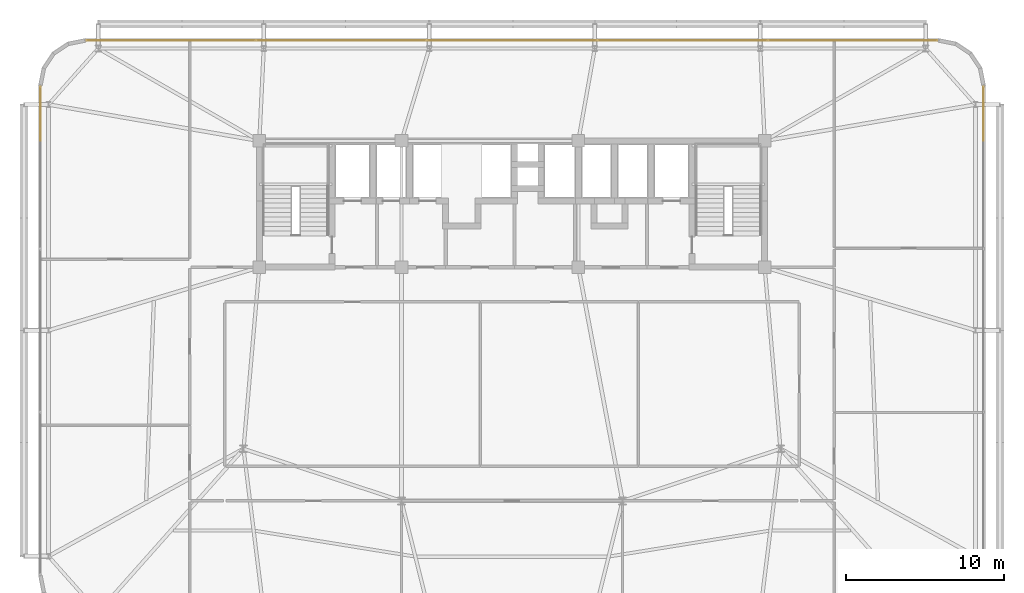
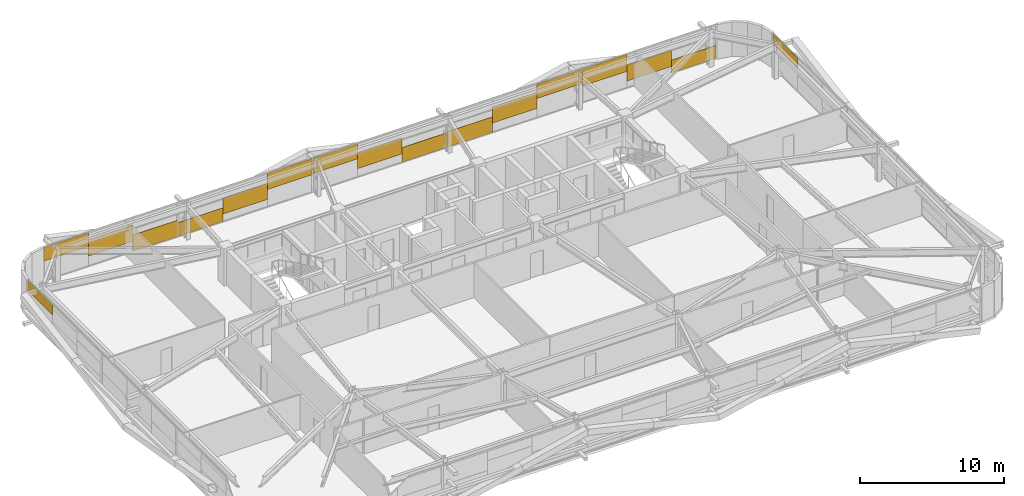
# One storey, part 44 of 44: 17 coverings.
"""IFC4 building model written with IfcOpenShell, lengths in metres."""

from ifc_helpers import new_model, si_unit, direction, frame, origin, origin_2d, place, context, subcontext, project, spatial, rectangle, extrude, source, transform, mapped, material, layer, layer_set, type_object, element, save


model = new_model("IFC4")

# Units and contexts
model_context = context("Model", 3, precision=1e-05, world=origin(), true_north=direction((0.0, 1.0)))
body_context = subcontext(model_context, "Body", "Model", "MODEL_VIEW")
ifc_project = project(units=[si_unit("LENGTHUNIT", "METRE"), si_unit("AREAUNIT", "SQUARE_METRE"), si_unit("VOLUMEUNIT", "CUBIC_METRE"), si_unit("PLANEANGLEUNIT", "RADIAN"), si_unit("MASSUNIT", "GRAM", prefix="KILO")], contexts=[model_context])

# Site, building, storey
site_placement = place(None, origin())
site = spatial("IfcSite", under=ifc_project, at=site_placement, CompositionType="ELEMENT")
building_placement = place(site_placement, origin())
building = spatial("IfcBuilding", under=site, at=building_placement, Name="Taldren Reach Tower", CompositionType="ELEMENT")
storey_placement = place(building_placement, frame((0.0, 0.0, 38.85009765625)))
storey = spatial("IfcBuildingStorey", under=building, at=storey_placement, Name="L11", CompositionType="ELEMENT", Elevation=38.85009765625)

# Coverings
ifc_material = material(Name="Pale Champagne Fluoropolymer Aluminium Spandrel Cladding", Category="aluminium")
ifc_layer = layer(ifc_material, 0.0439453125)
ifc_layer_set = layer_set([ifc_layer], Name="Pale Champagne Fluoropolymer Aluminium Spandrel Cladding")
covering_type = type_object("IfcCoveringType", Name="CV-CLAD-044", PredefinedType="CLADDING", material=ifc_layer_set)
shared_shape_1 = source(origin(), body_context, "Body", "SweptSolid", [
    extrude(rectangle(XDim=3.5673828125, YDim=0.0439453125, at=origin_2d()), origin(), (0.0, 0.0, 1.0), 1.088623046875),
])
covering_1_placement = place(storey_placement, frame((60.1513671875, 38.360107421875, 0.0546875), z_axis=(0.0, 0.0, 1.0), x_axis=(-1.0, 0.0, 0.0)))
element("IfcCovering", 1, at=covering_1_placement, inside=storey, type_object=covering_type, Name="Diagrid closure cladding strip CW-2 panel 1.1 1", PredefinedType="CLADDING", context=body_context, shape_type="MappedRepresentation", body=[
    mapped(shared_shape_1, transform((0.0, 0.0, 0.0), scale=1.0)),
])
shared_shape_2 = source(origin(), body_context, "Body", "SweptSolid", [
    extrude(rectangle(XDim=3.5673828125, YDim=0.0439453125, at=origin_2d()), origin(), (0.0, 0.0, 1.0), 1.36083984375),
])
for number, where, z_axis, x_axis, name in (
    (2, (56.583740234375, 38.360107421875, 0.60986328125), (0.0, 0.0, 1.0), (-1.0, 0.0, 0.0), "Diagrid closure cladding strip CW-2 panel 1.1 2"),
    (3, (13.416259765625, 38.360107421875, 0.899169921875), (0.0, 0.0, 1.0), (-1.0, 0.0, 0.0), "Diagrid closure cladding strip CW-2 panel 5.1 2"),
):
    element("IfcCovering", number, at=place(storey_placement, frame(where, z_axis=z_axis, x_axis=x_axis)), inside=storey, type_object=covering_type, Name=name, PredefinedType="CLADDING", context=body_context, shape_type="MappedRepresentation", body=[
        mapped(shared_shape_2, transform((0.0, 0.0, 0.0), scale=1.0)),
    ])
shared_shape_3 = source(origin(), body_context, "Body", "SweptSolid", [
    extrude(rectangle(XDim=3.5673828125, YDim=0.0439453125, at=origin_2d()), origin(), (0.0, 0.0, 1.0), 1.437744140625),
])
covering_2_placement = place(storey_placement, frame((53.016357421875, 38.360107421875, 1.43701171875), z_axis=(0.0, 0.0, 1.0), x_axis=(-1.0, 0.0, 0.0)))
element("IfcCovering", 4, at=covering_2_placement, inside=storey, type_object=covering_type, Name="Diagrid closure cladding strip CW-2 panel 1.1 3", PredefinedType="CLADDING", context=body_context, shape_type="MappedRepresentation", body=[
    mapped(shared_shape_3, transform((0.0, 0.0, 0.0), scale=1.0)),
])
shared_shape_4 = source(origin(), body_context, "Body", "SweptSolid", [
    extrude(rectangle(XDim=3.578369140625, YDim=0.0439453125, at=origin_2d()), origin(), (0.0, 0.0, 1.0), 1.2177734375),
])
covering_3_placement = place(storey_placement, frame((49.37841796875, 38.360107421875, 1.6572265625), z_axis=(0.0, 0.0, 1.0), x_axis=(-1.0, 0.0, 0.0)))
element("IfcCovering", 5, at=covering_3_placement, inside=storey, type_object=covering_type, Name="Diagrid closure cladding strip CW-2 panel 2.1 1", PredefinedType="CLADDING", context=body_context, shape_type="MappedRepresentation", body=[
    mapped(shared_shape_4, transform((0.0, 0.0, 0.0), scale=1.0)),
])
shared_shape_5 = source(origin(), body_context, "Body", "SweptSolid", [
    extrude(rectangle(XDim=3.578369140625, YDim=0.0439453125, at=origin_2d()), origin(), (0.0, 0.0, 1.0), 1.36328125),
])
for number, where, z_axis, x_axis, name in (
    (6, (45.800048828125, 38.360107421875, 0.827392578125), (0.0, 0.0, 1.0), (-1.0, 0.0, 0.0), "Diagrid closure cladding strip CW-2 panel 2.1 2"),
    (7, (35.0, 38.360107421875, 0.753173828125), (0.0, 0.0, 1.0), (-1.0, 0.0, 0.0), "Diagrid closure cladding strip CW-2 panel 3.1 2"),
    (8, (24.199951171875, 38.360107421875, 0.678955078125), (0.0, 0.0, 1.0), (-1.0, 0.0, 0.0), "Diagrid closure cladding strip CW-2 panel 4.1 2"),
):
    element("IfcCovering", number, at=place(storey_placement, frame(where, z_axis=z_axis, x_axis=x_axis)), inside=storey, type_object=covering_type, Name=name, PredefinedType="CLADDING", context=body_context, shape_type="MappedRepresentation", body=[
        mapped(shared_shape_5, transform((0.0, 0.0, 0.0), scale=1.0)),
    ])
shared_shape_6 = source(origin(), body_context, "Body", "SweptSolid", [
    extrude(rectangle(XDim=3.578369140625, YDim=0.0439453125, at=origin_2d()), origin(), (0.0, 0.0, 1.0), 1.30615234375),
])
covering_4_placement = place(storey_placement, frame((42.2216796875, 38.360107421875, 0.054931640625), z_axis=(0.0, 0.0, 1.0), x_axis=(-1.0, 0.0, 0.0)))
element("IfcCovering", 9, at=covering_4_placement, inside=storey, type_object=covering_type, Name="Diagrid closure cladding strip CW-2 panel 2.1 3", PredefinedType="CLADDING", context=body_context, shape_type="MappedRepresentation", body=[
    mapped(shared_shape_6, transform((0.0, 0.0, 0.0), scale=1.0)),
])
shared_shape_7 = source(origin(), body_context, "Body", "SweptSolid", [
    extrude(rectangle(XDim=3.578369140625, YDim=0.0439453125, at=origin_2d()), origin(), (0.0, 0.0, 1.0), 1.23193359375),
])
covering_5_placement = place(storey_placement, frame((38.578369140625, 38.360107421875, 0.054931640625), z_axis=(0.0, 0.0, 1.0), x_axis=(-1.0, 0.0, 0.0)))
element("IfcCovering", 10, at=covering_5_placement, inside=storey, type_object=covering_type, Name="Diagrid closure cladding strip CW-2 panel 3.1 1", PredefinedType="CLADDING", context=body_context, shape_type="MappedRepresentation", body=[
    mapped(shared_shape_7, transform((0.0, 0.0, 0.0), scale=1.0)),
])
shared_shape_8 = source(origin(), body_context, "Body", "SweptSolid", [
    extrude(rectangle(XDim=3.578369140625, YDim=0.0439453125, at=origin_2d()), origin(), (0.0, 0.0, 1.0), 1.2919921875),
])
covering_6_placement = place(storey_placement, frame((31.421630859375, 38.360107421875, 1.5830078125), z_axis=(0.0, 0.0, 1.0), x_axis=(-1.0, 0.0, 0.0)))
element("IfcCovering", 11, at=covering_6_placement, inside=storey, type_object=covering_type, Name="Diagrid closure cladding strip CW-2 panel 3.1 3", PredefinedType="CLADDING", context=body_context, shape_type="MappedRepresentation", body=[
    mapped(shared_shape_8, transform((0.0, 0.0, 0.0), scale=1.0)),
])
shared_shape_9 = source(origin(), body_context, "Body", "SweptSolid", [
    extrude(rectangle(XDim=3.578369140625, YDim=0.0439453125, at=origin_2d()), origin(), (0.0, 0.0, 1.0), 1.3662109375),
])
covering_7_placement = place(storey_placement, frame((27.7783203125, 38.360107421875, 1.5087890625), z_axis=(0.0, 0.0, 1.0), x_axis=(-1.0, 0.0, 0.0)))
element("IfcCovering", 12, at=covering_7_placement, inside=storey, type_object=covering_type, Name="Diagrid closure cladding strip CW-2 panel 4.1 1", PredefinedType="CLADDING", context=body_context, shape_type="MappedRepresentation", body=[
    mapped(shared_shape_9, transform((0.0, 0.0, 0.0), scale=1.0)),
])
shared_shape_10 = source(origin(), body_context, "Body", "SweptSolid", [
    extrude(rectangle(XDim=3.578369140625, YDim=0.0439453125, at=origin_2d()), origin(), (0.0, 0.0, 1.0), 1.15771484375),
])
covering_8_placement = place(storey_placement, frame((20.62158203125, 38.360107421875, 0.054931640625), z_axis=(0.0, 0.0, 1.0), x_axis=(-1.0, 0.0, 0.0)))
element("IfcCovering", 13, at=covering_8_placement, inside=storey, type_object=covering_type, Name="Diagrid closure cladding strip CW-2 panel 4.1 3", PredefinedType="CLADDING", context=body_context, shape_type="MappedRepresentation", body=[
    mapped(shared_shape_10, transform((0.0, 0.0, 0.0), scale=1.0)),
])
shared_shape_11 = source(origin(), body_context, "Body", "SweptSolid", [
    extrude(rectangle(XDim=3.5673828125, YDim=0.0439453125, at=origin_2d()), origin(), (0.0, 0.0, 1.0), 1.377685546875),
])
covering_9_placement = place(storey_placement, frame((16.983642578125, 38.360107421875, 0.05517578125), z_axis=(0.0, 0.0, 1.0), x_axis=(-1.0, 0.0, 0.0)))
element("IfcCovering", 14, at=covering_9_placement, inside=storey, type_object=covering_type, Name="Diagrid closure cladding strip CW-2 panel 5.1 1", PredefinedType="CLADDING", context=body_context, shape_type="MappedRepresentation", body=[
    mapped(shared_shape_11, transform((0.0, 0.0, 0.0), scale=1.0)),
])
shared_shape_12 = source(origin(), body_context, "Body", "SweptSolid", [
    extrude(rectangle(XDim=3.5673828125, YDim=0.0439453125, at=origin_2d()), origin(), (0.0, 0.0, 1.0), 1.1484375),
])
covering_10_placement = place(storey_placement, frame((9.8486328125, 38.360107421875, 1.726318359375), z_axis=(0.0, 0.0, 1.0), x_axis=(-1.0, 0.0, 0.0)))
element("IfcCovering", 15, at=covering_10_placement, inside=storey, type_object=covering_type, Name="Diagrid closure cladding strip CW-2 panel 5.1 3", PredefinedType="CLADDING", context=body_context, shape_type="MappedRepresentation", body=[
    mapped(shared_shape_12, transform((0.0, 0.0, 0.0), scale=1.0)),
])
shared_shape_13 = source(origin(), body_context, "Body", "SweptSolid", [
    extrude(rectangle(XDim=3.411865234375, YDim=0.0439453125, at=origin_2d()), origin(), (0.0, 0.0, 1.0), 0.87548828125),
])
for number, where, z_axis, x_axis, name in (
    (16, (5.139892578125, 33.72900390625, 1.999267578125), (0.0, 0.0, 1.0), (0.0, -1.0, 0.0), "Diagrid closure cladding strip CW-2 panel 1.1 1"),
    (17, (64.860107421875, 33.72900390625, 1.999267578125), (0.0, 0.0, 1.0), (0.0, 1.0, 0.0), "Diagrid closure cladding strip CW-2 panel 3.1 3"),
):
    element("IfcCovering", number, at=place(storey_placement, frame(where, z_axis=z_axis, x_axis=x_axis)), inside=storey, type_object=covering_type, Name=name, PredefinedType="CLADDING", context=body_context, shape_type="MappedRepresentation", body=[
        mapped(shared_shape_13, transform((0.0, 0.0, 0.0), scale=1.0)),
    ])

save(model, "model.ifc")
